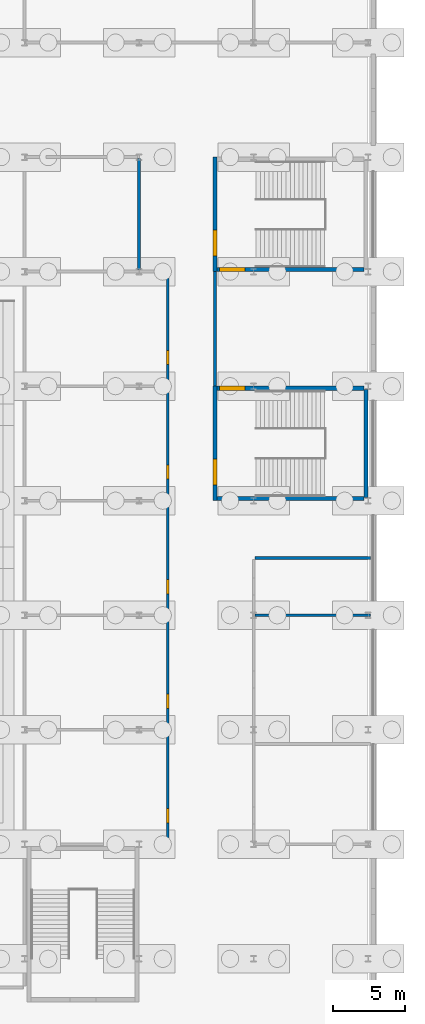
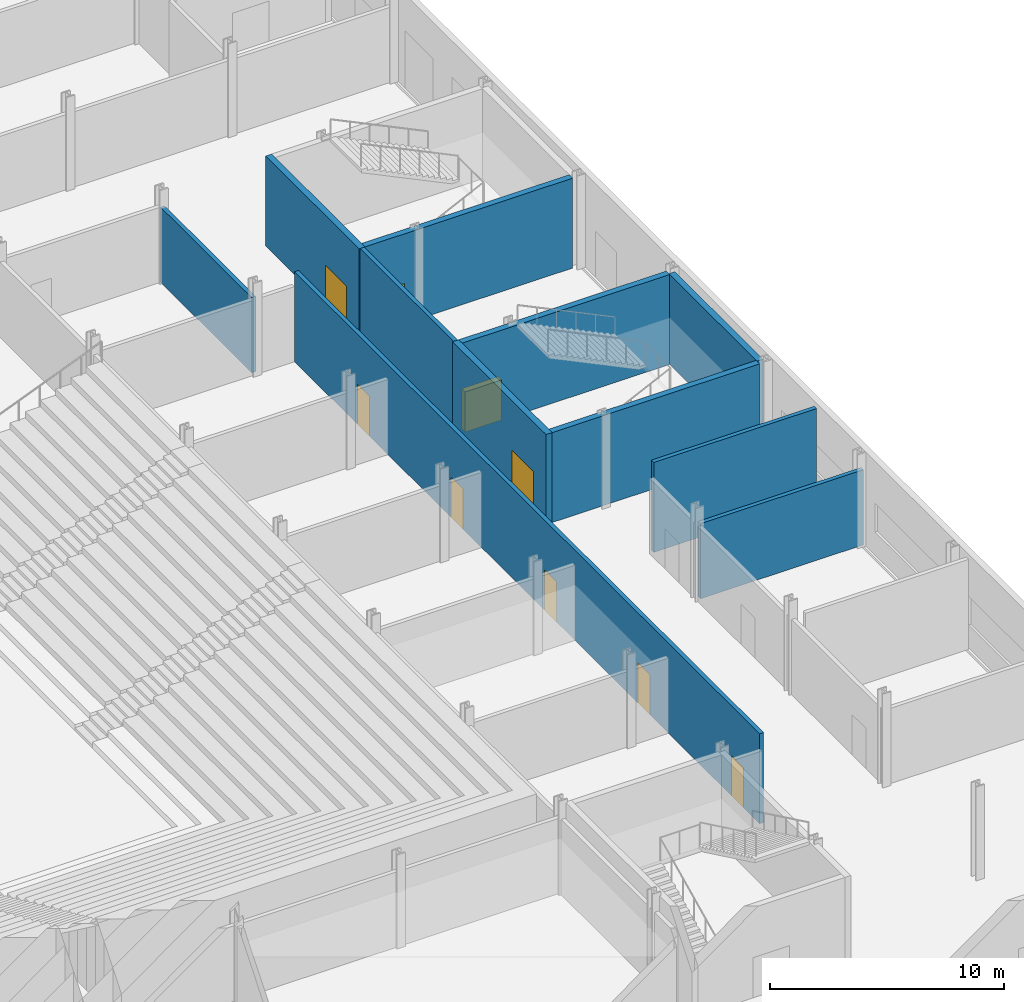
# One storey, part 14 of 24: 11 walls, 9 doors, 9 openings.
"""IFC4 building model written with IfcOpenShell, lengths in metres."""

from ifc_helpers import new_model, si_unit, direction, frame, frame_2d, origin, place, context, subcontext, project, spatial, rectangle, extrude, material, layer, layer_set, type_object, element, fill, save


model = new_model("IFC4")

# Units and contexts
model_context = context("Model", 3, precision=1e-05, world=origin(), true_north=direction((0.0, 1.0)))
body_context = subcontext(model_context, "Body", "Model", "MODEL_VIEW")
ifc_project = project(units=[si_unit("LENGTHUNIT", "METRE"), si_unit("AREAUNIT", "SQUARE_METRE"), si_unit("VOLUMEUNIT", "CUBIC_METRE"), si_unit("PLANEANGLEUNIT", "RADIAN"), si_unit("MASSUNIT", "GRAM", prefix="KILO")], contexts=[model_context])

# Site, building, storey
site_placement = place(None, origin())
site = spatial("IfcSite", under=ifc_project, at=site_placement, CompositionType="ELEMENT")
building_placement = place(site_placement, origin())
building = spatial("IfcBuilding", under=site, at=building_placement, Name="Daluyong Arena Tower", CompositionType="ELEMENT")
storey_placement = place(building_placement, origin())
storey = spatial("IfcBuildingStorey", under=building, at=storey_placement, Name="L00", CompositionType="ELEMENT", Elevation=0.0)

# Walls
ifc_material_1 = material(Name="Concrete block partition, fire rated", Category="concrete")
ifc_layer_1 = layer(ifc_material_1, 0.199951171875)
ifc_layer_set_1 = layer_set([ifc_layer_1], Name="Concrete block partition, fire rated")
wall_type_1 = type_object("IfcWallType", Name="Fire-rated partition 200", PredefinedType="PARTITIONING", material=ifc_layer_set_1)
wall_1_placement = place(storey_placement, frame((101.300048828125, 48.0, 0.0), z_axis=(0.0, 0.0, 1.0), x_axis=(0.0, 1.0, 0.0)))
element("IfcWall", 1, at=wall_1_placement, inside=storey, type_object=wall_type_1, Name="exit passage PS4 PS8 partition at L00", PredefinedType="PARTITIONING", context=body_context, shape_type="SweptSolid", body=[
    extrude(rectangle(XDim=8.0, YDim=0.199951171875, at=frame_2d((4.0, 0.0))), origin(), (0.0, 0.0, 1.0), 4.699951171875),
])
ifc_material_2 = material(Name="Concrete block partition", Category="concrete")
ifc_layer_2 = layer(ifc_material_2, 0.199951171875)
ifc_layer_set_2 = layer_set([ifc_layer_2], Name="Concrete block partition")
wall_type_2 = type_object("IfcWallType", Name="Partition 200", PredefinedType="PARTITIONING", material=ifc_layer_set_2)
wall_2_placement = place(storey_placement, frame((104.10009765625, 32.0, 0.0), z_axis=(0.0, 0.0, 1.0), x_axis=(1.0, 0.0, 0.0)))
element("IfcWall", 2, at=wall_2_placement, inside=storey, type_object=wall_type_2, Name="partition at L00", PredefinedType="PARTITIONING", context=body_context, shape_type="SweptSolid", body=[
    extrude(rectangle(XDim=8.0498046875, YDim=0.199951171875, at=frame_2d((4.02490234375, 0.0))), origin(), (0.0, 0.0, 1.0), 3.927734375),
])
wall_3_placement = place(storey_placement, frame((104.10009765625, 36.0, 0.0), z_axis=(0.0, 0.0, 1.0), x_axis=(1.0, 0.0, 0.0)))
element("IfcWall", 3, at=wall_3_placement, inside=storey, type_object=wall_type_2, Name="partition at L00", PredefinedType="PARTITIONING", context=body_context, shape_type="SweptSolid", body=[
    extrude(rectangle(XDim=8.0498046875, YDim=0.199951171875, at=frame_2d((4.02490234375, 0.0))), origin(), (0.0, 0.0, 1.0), 4.699951171875),
])
wall_4_placement = place(storey_placement, frame((96.0, 56.10009765625, 0.0), z_axis=(0.0, 0.0, 1.0), x_axis=(0.0, 1.0, 0.0)))
element("IfcWall", 4, at=wall_4_placement, inside=storey, type_object=wall_type_2, Name="partition at L00", PredefinedType="PARTITIONING", context=body_context, shape_type="SweptSolid", body=[
    extrude(rectangle(XDim=7.7998046875, YDim=0.199951171875, at=frame_2d((3.89990234375, 0.0))), origin(), (0.0, 0.0, 1.0), 3.927734375),
])

# Wall, openings, doors
wall_5_placement = place(storey_placement, frame((98.0, 16.10009765625, 0.0), z_axis=(0.0, 0.0, 1.0), x_axis=(0.0, 1.0, 0.0)))
wall_5 = element("IfcWall", 5, at=wall_5_placement, inside=storey, type_object=wall_type_2, Name="partition at L00", PredefinedType="PARTITIONING", context=body_context, shape_type="SweptSolid", body=[
    extrude(rectangle(XDim=39.7998046875, YDim=0.199951171875, at=frame_2d((19.89990234375, 0.0))), origin(), (0.0, 0.0, 1.0), 4.699951171875),
])
opening_1_placement = place(wall_5_placement, frame((1.39990234375, 0.0, 0.0)))
opening_1 = element("IfcOpeningElement", 6, at=opening_1_placement, cuts=wall_5, Name="Opening 00056", PredefinedType="OPENING", context=body_context, shape_type="SweptSolid", body=[
    extrude(rectangle(XDim=1.0, YDim=2.10009765625, at=frame_2d((0.5, 1.050048828125))), frame((0.0, 0.10986328125, 0.0), z_axis=(0.0, -1.0, 0.0), x_axis=(1.0, 0.0, 0.0)), (0.0, 0.0, 1.0), 0.219970703125),
])
opening_2_placement = place(wall_5_placement, frame((9.39990234375, 0.0, 0.0)))
opening_2 = element("IfcOpeningElement", 7, at=opening_2_placement, cuts=wall_5, Name="Opening 00057", PredefinedType="OPENING", context=body_context, shape_type="SweptSolid", body=[
    extrude(rectangle(XDim=1.0, YDim=2.10009765625, at=frame_2d((0.5, 1.050048828125))), frame((0.0, 0.10986328125, 0.0), z_axis=(0.0, -1.0, 0.0), x_axis=(1.0, 0.0, 0.0)), (0.0, 0.0, 1.0), 0.219970703125),
])
opening_3_placement = place(wall_5_placement, frame((17.39990234375, 0.0, 0.0)))
opening_3 = element("IfcOpeningElement", 8, at=opening_3_placement, cuts=wall_5, Name="Opening 00058", PredefinedType="OPENING", context=body_context, shape_type="SweptSolid", body=[
    extrude(rectangle(XDim=1.0, YDim=2.10009765625, at=frame_2d((0.5, 1.050048828125))), frame((0.0, 0.10986328125, 0.0), z_axis=(0.0, -1.0, 0.0), x_axis=(1.0, 0.0, 0.0)), (0.0, 0.0, 1.0), 0.219970703125),
])
opening_4_placement = place(wall_5_placement, frame((25.39990234375, 0.0, 0.0)))
opening_4 = element("IfcOpeningElement", 9, at=opening_4_placement, cuts=wall_5, Name="Opening 00059", PredefinedType="OPENING", context=body_context, shape_type="SweptSolid", body=[
    extrude(rectangle(XDim=1.0, YDim=2.10009765625, at=frame_2d((0.5, 1.050048828125))), frame((0.0, 0.10986328125, 0.0), z_axis=(0.0, -1.0, 0.0), x_axis=(1.0, 0.0, 0.0)), (0.0, 0.0, 1.0), 0.219970703125),
])
opening_5_placement = place(wall_5_placement, frame((33.39990234375, 0.0, 0.0)))
opening_5 = element("IfcOpeningElement", 10, at=opening_5_placement, cuts=wall_5, Name="Opening 00060", PredefinedType="OPENING", context=body_context, shape_type="SweptSolid", body=[
    extrude(rectangle(XDim=1.0, YDim=2.10009765625, at=frame_2d((0.5, 1.050048828125))), frame((0.0, 0.10986328125, 0.0), z_axis=(0.0, -1.0, 0.0), x_axis=(1.0, 0.0, 0.0)), (0.0, 0.0, 1.0), 0.219970703125),
])
ifc_material_3 = material(Name="Timber door", Category="wood")
door_type_1 = type_object("IfcDoorType", Name="Room door 1000", OperationType="SINGLE_SWING_LEFT", PredefinedType="DOOR", material=ifc_material_3)
door_1_placement = place(opening_1_placement, origin())
door_1 = element("IfcDoor", 11, at=door_1_placement, inside=storey, type_object=door_type_1, Name="food and beverage kiosk door 00056", OperationType="SINGLE_SWING_LEFT", OverallHeight=2.10009765625, OverallWidth=1.0, PredefinedType="DOOR", context=body_context, shape_type="SweptSolid", body=[
    extrude(rectangle(XDim=1.0, YDim=2.10009765625, at=frame_2d((0.5, 1.050048828125))), frame((0.0, 0.099609375, 0.0), z_axis=(0.0, -1.0, 0.0), x_axis=(1.0, 0.0, 0.0)), (0.0, 0.0, 1.0), 0.199462890625),
])
fill(opening_1, door_1)
door_2_placement = place(opening_2_placement, origin())
door_2 = element("IfcDoor", 12, at=door_2_placement, inside=storey, type_object=door_type_1, Name="security post door 00057", OperationType="SINGLE_SWING_LEFT", OverallHeight=2.10009765625, OverallWidth=1.0, PredefinedType="DOOR", context=body_context, shape_type="SweptSolid", body=[
    extrude(rectangle(XDim=1.0, YDim=2.10009765625, at=frame_2d((0.5, 1.050048828125))), frame((0.0, 0.099609375, 0.0), z_axis=(0.0, -1.0, 0.0), x_axis=(1.0, 0.0, 0.0)), (0.0, 0.0, 1.0), 0.199462890625),
])
fill(opening_2, door_2)
door_3_placement = place(opening_3_placement, origin())
door_3 = element("IfcDoor", 13, at=door_3_placement, inside=storey, type_object=door_type_1, Name="food and beverage kiosk door 00058", OperationType="SINGLE_SWING_LEFT", OverallHeight=2.10009765625, OverallWidth=1.0, PredefinedType="DOOR", context=body_context, shape_type="SweptSolid", body=[
    extrude(rectangle(XDim=1.0, YDim=2.10009765625, at=frame_2d((0.5, 1.050048828125))), frame((0.0, 0.099609375, 0.0), z_axis=(0.0, -1.0, 0.0), x_axis=(1.0, 0.0, 0.0)), (0.0, 0.0, 1.0), 0.199462890625),
])
fill(opening_3, door_3)
door_4_placement = place(opening_4_placement, origin())
door_4 = element("IfcDoor", 14, at=door_4_placement, inside=storey, type_object=door_type_1, Name="merchandise shop door 00059", OperationType="SINGLE_SWING_LEFT", OverallHeight=2.10009765625, OverallWidth=1.0, PredefinedType="DOOR", context=body_context, shape_type="SweptSolid", body=[
    extrude(rectangle(XDim=1.0, YDim=2.10009765625, at=frame_2d((0.5, 1.050048828125))), frame((0.0, 0.099609375, 0.0), z_axis=(0.0, -1.0, 0.0), x_axis=(1.0, 0.0, 0.0)), (0.0, 0.0, 1.0), 0.199462890625),
])
fill(opening_4, door_4)
door_5_placement = place(opening_5_placement, origin())
door_5 = element("IfcDoor", 15, at=door_5_placement, inside=storey, type_object=door_type_1, Name="food and beverage kiosk door 00060", OperationType="SINGLE_SWING_LEFT", OverallHeight=2.10009765625, OverallWidth=1.0, PredefinedType="DOOR", context=body_context, shape_type="SweptSolid", body=[
    extrude(rectangle(XDim=1.0, YDim=2.10009765625, at=frame_2d((0.5, 1.050048828125))), frame((0.0, 0.099609375, 0.0), z_axis=(0.0, -1.0, 0.0), x_axis=(1.0, 0.0, 0.0)), (0.0, 0.0, 1.0), 0.199462890625),
])
fill(opening_5, door_5)

# Wall, opening, door
ifc_material_4 = material(Name="Concrete fc' 35 MPa", Category="concrete")
ifc_layer_3 = layer(ifc_material_4, 0.300048828125)
ifc_layer_set_3 = layer_set([ifc_layer_3], Name="Concrete fc' 35 MPa")
wall_type_3 = type_object("IfcWallType", Name="Stair enclosure wall 300", PredefinedType="SOLIDWALL", material=ifc_layer_set_3)
wall_6_placement = place(storey_placement, frame((101.300048828125, 40.0, 0.0), z_axis=(0.0, 0.0, 1.0), x_axis=(0.0, 1.0, 0.0)))
wall_6 = element("IfcWall", 16, at=wall_6_placement, inside=storey, type_object=wall_type_3, Name="exit stair PS4 enclosure", PredefinedType="SOLIDWALL", context=body_context, shape_type="SweptSolid", body=[
    extrude(rectangle(XDim=8.0, YDim=0.300048828125, at=frame_2d((4.0, 0.0))), origin(), (0.0, 0.0, 1.0), 4.699951171875),
])
opening_6_placement = place(wall_6_placement, frame((1.10009765625, 0.0, 0.0)))
opening_6 = element("IfcOpeningElement", 17, at=opening_6_placement, cuts=wall_6, Name="Opening 00030", PredefinedType="OPENING", context=body_context, shape_type="SweptSolid", body=[
    extrude(rectangle(XDim=1.800048828125, YDim=2.10009765625, at=frame_2d((0.89990234375, 1.050048828125))), frame((0.0, 0.159912109375, 0.0), z_axis=(0.0, -1.0, 0.0), x_axis=(1.0, 0.0, 0.0)), (0.0, 0.0, 1.0), 0.320068359375),
])
ifc_material_5 = material(Name="Steel door, fire rated", Category="steel")
door_type_2 = type_object("IfcDoorType", Name="Exit stair double door 1800", OperationType="DOUBLE_DOOR_SINGLE_SWING", PredefinedType="DOOR", material=ifc_material_5)
door_6_placement = place(opening_6_placement, origin())
door_6 = element("IfcDoor", 18, at=door_6_placement, inside=storey, type_object=door_type_2, Name="exit stair PS4 door 00030", OperationType="DOUBLE_DOOR_SINGLE_SWING", OverallHeight=2.10009765625, OverallWidth=1.800048828125, PredefinedType="DOOR", context=body_context, shape_type="SweptSolid", body=[
    extrude(rectangle(XDim=1.800048828125, YDim=2.10009765625, at=frame_2d((0.89990234375, 1.050048828125))), frame((0.0, 0.14990234375, 0.0), z_axis=(0.0, -1.0, 0.0), x_axis=(1.0, 0.0, 0.0)), (0.0, 0.0, 1.0), 0.299560546875),
])
fill(opening_6, door_6)

# Walls
wall_7_placement = place(storey_placement, frame((111.85009765625, 40.227294921875, 0.0), z_axis=(0.0, 0.0, 1.0), x_axis=(0.0, 1.0, 0.0)))
element("IfcWall", 19, at=wall_7_placement, inside=storey, type_object=wall_type_3, Name="exit stair PS4 enclosure", PredefinedType="SOLIDWALL", context=body_context, shape_type="SweptSolid", body=[
    extrude(rectangle(XDim=7.54541015625, YDim=0.300048828125, at=frame_2d((3.772705078125, 0.0))), origin(), (0.0, 0.0, 1.0), 4.699951171875),
])
wall_8_placement = place(storey_placement, frame((101.449951171875, 40.14990234375, 0.0), z_axis=(0.0, 0.0, 1.0), x_axis=(1.0, 0.0, 0.0)))
element("IfcWall", 20, at=wall_8_placement, inside=storey, type_object=wall_type_3, Name="exit stair PS4 enclosure", PredefinedType="SOLIDWALL", context=body_context, shape_type="SweptSolid", body=[
    extrude(rectangle(XDim=10.25, YDim=0.300048828125, at=frame_2d((5.125, 0.0))), origin(), (0.0, 0.0, 1.0), 4.699951171875),
])

# Wall, opening, door
wall_9_placement = place(storey_placement, frame((101.449951171875, 47.85009765625, 0.0), z_axis=(0.0, 0.0, 1.0), x_axis=(1.0, 0.0, 0.0)))
wall_9 = element("IfcWall", 21, at=wall_9_placement, inside=storey, type_object=wall_type_3, Name="exit stair PS4 enclosure", PredefinedType="SOLIDWALL", context=body_context, shape_type="SweptSolid", body=[
    extrude(rectangle(XDim=10.25, YDim=0.300048828125, at=frame_2d((5.125, 0.0))), origin(), (0.0, 0.0, 1.0), 4.699951171875),
])
opening_7_placement = place(wall_9_placement, frame((0.14990234375, 0.0, 0.0)))
opening_7 = element("IfcOpeningElement", 22, at=opening_7_placement, cuts=wall_9, Name="Opening 00077", PredefinedType="OPENING", context=body_context, shape_type="SweptSolid", body=[
    extrude(rectangle(XDim=1.800048828125, YDim=2.10009765625, at=frame_2d((0.89990234375, 1.050048828125))), frame((0.0, 0.159912109375, 0.0), z_axis=(0.0, -1.0, 0.0), x_axis=(1.0, 0.0, 0.0)), (0.0, 0.0, 1.0), 0.320068359375),
])
door_7_placement = place(opening_7_placement, origin())
door_7 = element("IfcDoor", 23, at=door_7_placement, inside=storey, type_object=door_type_2, Name="exit stair PS4 passage door 00077", OperationType="DOUBLE_DOOR_SINGLE_SWING", OverallHeight=2.10009765625, OverallWidth=1.800048828125, PredefinedType="DOOR", context=body_context, shape_type="SweptSolid", body=[
    extrude(rectangle(XDim=1.800048828125, YDim=2.10009765625, at=frame_2d((0.89990234375, 1.050048828125))), frame((0.0, 0.14990234375, 0.0), z_axis=(0.0, -1.0, 0.0), x_axis=(1.0, 0.0, 0.0)), (0.0, 0.0, 1.0), 0.299560546875),
])
fill(opening_7, door_7)

wall_10_placement = place(storey_placement, frame((101.300048828125, 56.0, 0.0), z_axis=(0.0, 0.0, 1.0), x_axis=(0.0, 1.0, 0.0)))
wall_10 = element("IfcWall", 24, at=wall_10_placement, inside=storey, type_object=wall_type_3, Name="exit stair PS8 enclosure", PredefinedType="SOLIDWALL", context=body_context, shape_type="SweptSolid", body=[
    extrude(rectangle(XDim=8.0, YDim=0.300048828125, at=frame_2d((4.0, 0.0))), origin(), (0.0, 0.0, 1.0), 4.699951171875),
])
opening_8_placement = place(wall_10_placement, frame((1.10009765625, 0.0, 0.0)))
opening_8 = element("IfcOpeningElement", 25, at=opening_8_placement, cuts=wall_10, Name="Opening 00034", PredefinedType="OPENING", context=body_context, shape_type="SweptSolid", body=[
    extrude(rectangle(XDim=1.800048828125, YDim=2.10009765625, at=frame_2d((0.89990234375, 1.050048828125))), frame((0.0, 0.159912109375, 0.0), z_axis=(0.0, -1.0, 0.0), x_axis=(1.0, 0.0, 0.0)), (0.0, 0.0, 1.0), 0.320068359375),
])
door_8_placement = place(opening_8_placement, origin())
door_8 = element("IfcDoor", 26, at=door_8_placement, inside=storey, type_object=door_type_2, Name="exit stair PS8 door 00034", OperationType="DOUBLE_DOOR_SINGLE_SWING", OverallHeight=2.10009765625, OverallWidth=1.800048828125, PredefinedType="DOOR", context=body_context, shape_type="SweptSolid", body=[
    extrude(rectangle(XDim=1.800048828125, YDim=2.10009765625, at=frame_2d((0.89990234375, 1.050048828125))), frame((0.0, 0.14990234375, 0.0), z_axis=(0.0, -1.0, 0.0), x_axis=(1.0, 0.0, 0.0)), (0.0, 0.0, 1.0), 0.299560546875),
])
fill(opening_8, door_8)

wall_11_placement = place(storey_placement, frame((101.449951171875, 56.14990234375, 0.0), z_axis=(0.0, 0.0, 1.0), x_axis=(1.0, 0.0, 0.0)))
wall_11 = element("IfcWall", 27, at=wall_11_placement, inside=storey, type_object=wall_type_3, Name="exit stair PS8 enclosure", PredefinedType="SOLIDWALL", context=body_context, shape_type="SweptSolid", body=[
    extrude(rectangle(XDim=10.25, YDim=0.300048828125, at=frame_2d((5.125, 0.0))), origin(), (0.0, 0.0, 1.0), 4.699951171875),
])
opening_9_placement = place(wall_11_placement, frame((0.14990234375, 0.0, 0.0)))
opening_9 = element("IfcOpeningElement", 28, at=opening_9_placement, cuts=wall_11, Name="Opening 00078", PredefinedType="OPENING", context=body_context, shape_type="SweptSolid", body=[
    extrude(rectangle(XDim=1.800048828125, YDim=2.10009765625, at=frame_2d((0.89990234375, 1.050048828125))), frame((0.0, 0.159912109375, 0.0), z_axis=(0.0, -1.0, 0.0), x_axis=(1.0, 0.0, 0.0)), (0.0, 0.0, 1.0), 0.320068359375),
])
door_9_placement = place(opening_9_placement, frame((1.800048828125, 0.0, 0.0), z_axis=(0.0, 0.0, 1.0), x_axis=(-1.0, 0.0, 0.0)))
door_9 = element("IfcDoor", 29, at=door_9_placement, inside=storey, type_object=door_type_2, Name="exit stair PS8 passage door 00078", OperationType="DOUBLE_DOOR_SINGLE_SWING", OverallHeight=2.10009765625, OverallWidth=1.800048828125, PredefinedType="DOOR", context=body_context, shape_type="SweptSolid", body=[
    extrude(rectangle(XDim=1.800048828125, YDim=2.10009765625, at=frame_2d((0.89990234375, 1.050048828125))), frame((0.0, 0.14990234375, 0.0), z_axis=(0.0, -1.0, 0.0), x_axis=(1.0, 0.0, 0.0)), (0.0, 0.0, 1.0), 0.299560546875),
])
fill(opening_9, door_9)

save(model, "model.ifc")
